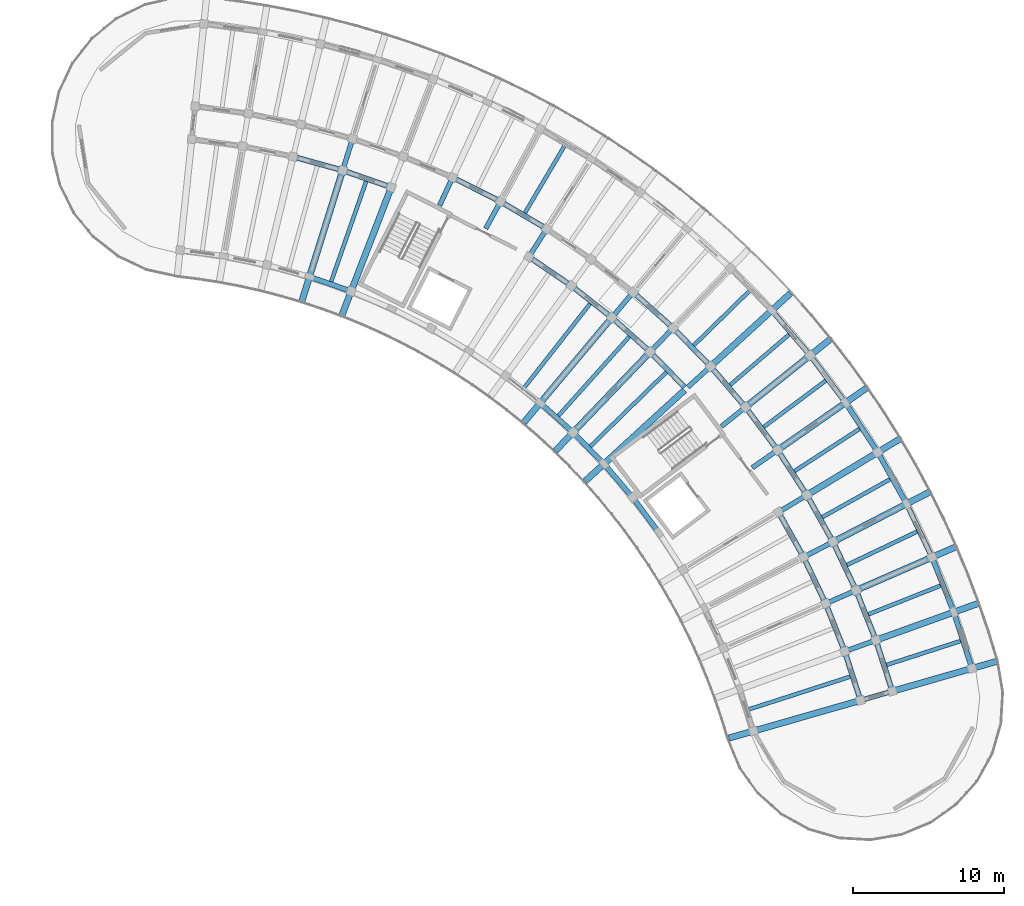
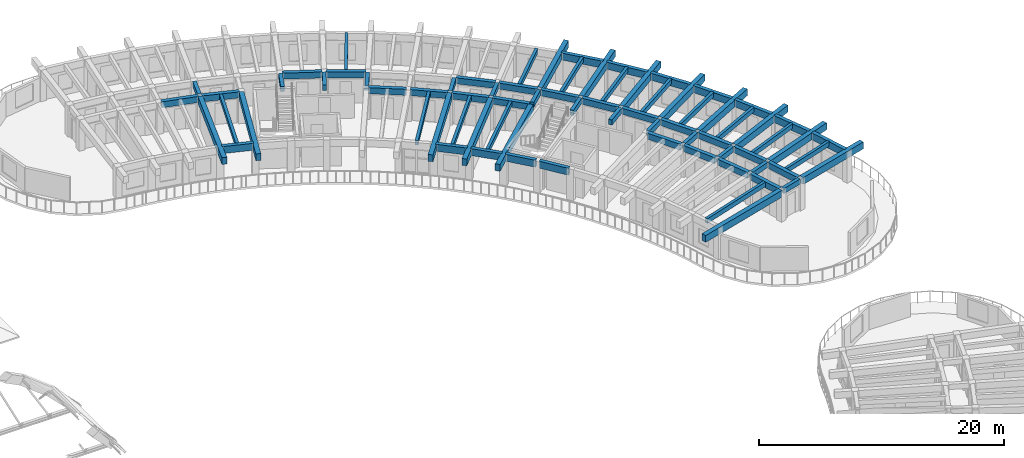
# One storey, part 21 of 81: 75 beams.
"""IFC4 building model written with IfcOpenShell, lengths in metres."""

from ifc_helpers import new_model, si_unit, direction, frame, origin, origin_2d, place, context, subcontext, project, spatial, rectangle, extrude, material, material_profile, profile_set, type_object, element, save


model = new_model("IFC4")

# Units and contexts
model_context = context("Model", 3, precision=1e-05, world=origin(), true_north=direction((0.0, 1.0)))
body_context = subcontext(model_context, "Body", "Model", "MODEL_VIEW")
ifc_project = project(units=[si_unit("LENGTHUNIT", "METRE"), si_unit("AREAUNIT", "SQUARE_METRE"), si_unit("VOLUMEUNIT", "CUBIC_METRE"), si_unit("PLANEANGLEUNIT", "RADIAN"), si_unit("MASSUNIT", "GRAM", prefix="KILO")], contexts=[model_context])

# Site, building, storey
site_placement = place(None, origin())
site = spatial("IfcSite", under=ifc_project, at=site_placement, CompositionType="ELEMENT")
building_placement = place(site_placement, origin())
building = spatial("IfcBuilding", under=site, at=building_placement, Name="Tanwirah Colonnade Gardens", CompositionType="ELEMENT")
storey_placement = place(building_placement, frame((0.0, 0.0, 8.840087890625)))
storey = spatial("IfcBuildingStorey", under=building, at=storey_placement, Name="L02", CompositionType="ELEMENT", Elevation=8.840087890625)

# Beams
ifc_material_1 = material(Name="Precast concrete C40/50", Category="concrete")
ifc_material_profile_1 = material_profile(ifc_material_1, rectangle(XDim=0.320068359375, YDim=0.52001953125, at=origin_2d()), Name="PC-BM 320x520")
ifc_profile_set_1 = profile_set([ifc_material_profile_1], Name="Precast concrete C40/50")
beam_type_1 = type_object("IfcBeamType", Name="BM-PC320", PredefinedType="BEAM", material=ifc_profile_set_1)
for number, where, z_axis, x_axis, name in (
    (1, (170.985595703125, 74.533203125, 2.844970703125), (0.961266538157, 0.275620468433, 0.0), (-0.275620468433, 0.961266538157, 0.0), "Block B L02 Corridor Tie Beam 0"),
    (2, (169.9326171875, 77.79541015625, 2.844970703125), (0.941021664552, 0.338346311999, 0.0), (-0.338346311999, 0.941021664552, 0.0), "Block B L02 Corridor Tie Beam 1"),
    (3, (168.6669921875, 80.981201171875, 2.844970703125), (0.916681481826, 0.399618644306, 0.0), (-0.399618644306, 0.916681481826, 0.0), "Block B L02 Corridor Tie Beam 2"),
):
    element("IfcBeam", number, at=place(storey_placement, frame(where, z_axis=z_axis, x_axis=x_axis)), inside=storey, type_object=beam_type_1, Name=name, PredefinedType="BEAM", context=body_context, shape_type="SweptSolid", body=[
        extrude(rectangle(XDim=0.320068359375, YDim=0.52001953125, at=origin_2d()), origin(), (0.0, 0.0, 1.0), 1.89990234375),
    ])
beam_1_placement = place(storey_placement, frame((167.194091796875, 84.07666015625, 2.844970703125), z_axis=(0.888385730697, 0.459097803844, 0.0), x_axis=(-0.459097803844, 0.888385730697, 0.0)))
element("IfcBeam", 4, at=beam_1_placement, inside=storey, type_object=beam_type_1, Name="Block B L02 Corridor Tie Beam 3", PredefinedType="BEAM", context=body_context, shape_type="SweptSolid", body=[
    extrude(rectangle(XDim=0.320068359375, YDim=0.52001953125, at=origin_2d()), origin(), (0.0, 0.0, 1.0), 1.900146484375),
])
for number, where, z_axis, x_axis, name in (
    (5, (165.520751953125, 87.068359375, 2.844970703125), (0.856174920318, 0.516686080534, 0.0), (-0.516686080534, 0.856174920318, 0.0), "Block B L02 Corridor Tie Beam 4"),
    (6, (163.653564453125, 89.943359375, 2.844970703125), (0.820305001782, 0.571926309983, 0.0), (-0.571926309983, 0.820305001782, 0.0), "Block B L02 Corridor Tie Beam 5"),
    (7, (161.601318359375, 92.68896484375, 2.844970703125), (0.78073089418, 0.624867402633, 0.0), (-0.624867402633, 0.78073089418, 0.0), "Block B L02 Corridor Tie Beam 6"),
    (8, (159.37255859375, 95.29345703125, 2.844970703125), (0.737948361517, 0.674857181732, 0.0), (-0.674857181732, 0.737948361517, 0.0), "Block B L02 Corridor Tie Beam 7"),
):
    element("IfcBeam", number, at=place(storey_placement, frame(where, z_axis=z_axis, x_axis=x_axis)), inside=storey, type_object=beam_type_1, Name=name, PredefinedType="BEAM", context=body_context, shape_type="SweptSolid", body=[
        extrude(rectangle(XDim=0.320068359375, YDim=0.52001953125, at=origin_2d()), origin(), (0.0, 0.0, 1.0), 1.89990234375),
    ])
beam_2_placement = place(storey_placement, frame((156.976806640625, 97.74560546875, 2.844970703125), z_axis=(0.691913735329, 0.721980181766, 0.0), x_axis=(-0.721980181766, 0.691913735329, 0.0)))
element("IfcBeam", 9, at=beam_2_placement, inside=storey, type_object=beam_type_1, Name="Block B L02 Corridor Tie Beam 8", PredefinedType="BEAM", context=body_context, shape_type="SweptSolid", body=[
    extrude(rectangle(XDim=0.320068359375, YDim=0.52001953125, at=origin_2d()), origin(), (0.0, 0.0, 1.0), 1.900146484375),
])
for number, where, z_axis, x_axis, name in (
    (10, (154.425048828125, 100.034423828125, 2.844970703125), (0.642797194343, 0.766036400535, 0.0), (-0.766036400535, 0.642797194343, 0.0), "Block B L02 Corridor Tie Beam 9"),
    (11, (148.89697265625, 104.08349609375, 2.844970703125), (0.536509579595, 0.843894229749, 0.0), (-0.843894229749, 0.536509579595, 0.0), "Block B L02 Corridor Tie Beam 11"),
    (12, (145.945068359375, 105.826171875, 2.844970703125), (0.479707235792, 0.877428611301, 0.0), (-0.877428611301, 0.479707235792, 0.0), "Block B L02 Corridor Tie Beam 12"),
    (13, (142.884765625, 107.37060546875, 2.844970703125), (0.420858322681, 0.90712638162, 0.0), (-0.90712638162, 0.420858322681, 0.0), "Block B L02 Corridor Tie Beam 13"),
    (14, (136.492431640625, 109.838623046875, 2.844970703125), (0.297857918398, 0.954610213882, 0.0), (-0.954610213882, 0.297857918398, 0.0), "Block B L02 Corridor Tie Beam 15"),
):
    element("IfcBeam", number, at=place(storey_placement, frame(where, z_axis=z_axis, x_axis=x_axis)), inside=storey, type_object=beam_type_1, Name=name, PredefinedType="BEAM", context=body_context, shape_type="SweptSolid", body=[
        extrude(rectangle(XDim=0.320068359375, YDim=0.52001953125, at=origin_2d()), origin(), (0.0, 0.0, 1.0), 1.89990234375),
    ])
ifc_material_profile_2 = material_profile(ifc_material_1, rectangle(XDim=0.35009765625, YDim=0.60009765625, at=origin_2d()), Name="PC-BM 350x600")
ifc_profile_set_2 = profile_set([ifc_material_profile_2], Name="Precast concrete C40/50")
beam_type_2 = type_object("IfcBeamType", Name="BM-PC350B", PredefinedType="BEAM", material=ifc_profile_set_2)
beam_3_placement = place(storey_placement, frame((170.79541015625, 74.634521484375, 2.804931640625), z_axis=(-0.307169780148, 0.951654730542, 0.0), x_axis=(-0.951654730542, -0.307169780148, 0.0)))
element("IfcBeam", 15, at=beam_3_placement, inside=storey, type_object=beam_type_2, Name="Block B L02 Circumferential Beam 0-R1", PredefinedType="BEAM", context=body_context, shape_type="SweptSolid", body=[
    extrude(rectangle(XDim=0.35009765625, YDim=0.60009765625, at=origin_2d()), origin(), (0.0, 0.0, 1.0), 3.117919921875),
])
beam_4_placement = place(storey_placement, frame((172.91015625, 75.240966796875, 2.804931640625), z_axis=(-0.307212636327, 0.9516408966, 0.0), x_axis=(-0.9516408966, -0.307212636327, 0.0)))
element("IfcBeam", 16, at=beam_4_placement, inside=storey, type_object=beam_type_2, Name="Block B L02 Circumferential Beam 0-R2", PredefinedType="BEAM", context=body_context, shape_type="SweptSolid", body=[
    extrude(rectangle(XDim=0.35009765625, YDim=0.60009765625, at=origin_2d()), origin(), (0.0, 0.0, 1.0), 3.262939453125),
])
beam_5_placement = place(storey_placement, frame((169.736083984375, 77.884033203125, 2.804931640625), z_axis=(-0.369189105832, 0.929354294193, 0.0), x_axis=(-0.929354294193, -0.369189105832, 0.0)))
element("IfcBeam", 17, at=beam_5_placement, inside=storey, type_object=beam_type_2, Name="Block B L02 Circumferential Beam 1-R1", PredefinedType="BEAM", context=body_context, shape_type="SweptSolid", body=[
    extrude(rectangle(XDim=0.35009765625, YDim=0.60009765625, at=origin_2d()), origin(), (0.0, 0.0, 1.0), 3.117919921875),
])
beam_6_placement = place(storey_placement, frame((171.806396484375, 78.62841796875, 2.804931640625), z_axis=(-0.369209712056, 0.929346108037, 0.0), x_axis=(-0.929346108037, -0.369209712056, 0.0)))
element("IfcBeam", 18, at=beam_6_placement, inside=storey, type_object=beam_type_2, Name="Block B L02 Circumferential Beam 1-R2", PredefinedType="BEAM", context=body_context, shape_type="SweptSolid", body=[
    extrude(rectangle(XDim=0.35009765625, YDim=0.60009765625, at=origin_2d()), origin(), (0.0, 0.0, 1.0), 3.26318359375),
])
beam_7_placement = place(storey_placement, frame((168.465087890625, 81.056640625, 2.804931640625), z_axis=(-0.429620507728, 0.903009534468, 0.0), x_axis=(-0.903009534468, -0.429620507728, 0.0)))
element("IfcBeam", 19, at=beam_7_placement, inside=storey, type_object=beam_type_2, Name="Block B L02 Circumferential Beam 2-R1", PredefinedType="BEAM", context=body_context, shape_type="SweptSolid", body=[
    extrude(rectangle(XDim=0.35009765625, YDim=0.60009765625, at=origin_2d()), origin(), (0.0, 0.0, 1.0), 3.1181640625),
])
beam_8_placement = place(storey_placement, frame((170.481689453125, 81.935791015625, 2.804931640625), z_axis=(-0.4295908638, 0.90302363742, 0.0), x_axis=(-0.90302363742, -0.4295908638, 0.0)))
element("IfcBeam", 20, at=beam_8_placement, inside=storey, type_object=beam_type_2, Name="Block B L02 Circumferential Beam 2-R2", PredefinedType="BEAM", context=body_context, shape_type="SweptSolid", body=[
    extrude(rectangle(XDim=0.35009765625, YDim=0.60009765625, at=origin_2d()), origin(), (0.0, 0.0, 1.0), 3.26318359375),
])
beam_9_placement = place(storey_placement, frame((166.98779296875, 84.138671875, 2.804931640625), z_axis=(-0.488200372352, 0.872731571811, 0.0), x_axis=(-0.872731571811, -0.488200372352, 0.0)))
element("IfcBeam", 21, at=beam_9_placement, inside=storey, type_object=beam_type_2, Name="Block B L02 Circumferential Beam 3-R1", PredefinedType="BEAM", context=body_context, shape_type="SweptSolid", body=[
    extrude(rectangle(XDim=0.35009765625, YDim=0.60009765625, at=origin_2d()), origin(), (0.0, 0.0, 1.0), 3.117919921875),
])
for number, where, z_axis, x_axis, name in (
    (22, (168.942138671875, 85.14892578125, 2.804931640625), (-0.488213717102, 0.87272410671, 0.0), (-0.87272410671, -0.488213717102, 0.0), "Block B L02 Circumferential Beam 3-R2"),
    (23, (167.194091796875, 88.25341796875, 2.804931640625), (-0.544627998385, 0.838677735114, 0.0), (-0.838677735114, -0.544627998385, 0.0), "Block B L02 Circumferential Beam 4-R2"),
    (24, (165.245361328125, 91.236083984375, 2.804931640625), (-0.59871829396, 0.800959677186, 0.0), (-0.800959677186, -0.59871829396, 0.0), "Block B L02 Circumferential Beam 5-R2"),
):
    element("IfcBeam", number, at=place(storey_placement, frame(where, z_axis=z_axis, x_axis=x_axis)), inside=storey, type_object=beam_type_2, Name=name, PredefinedType="BEAM", context=body_context, shape_type="SweptSolid", body=[
        extrude(rectangle(XDim=0.35009765625, YDim=0.60009765625, at=origin_2d()), origin(), (0.0, 0.0, 1.0), 3.262939453125),
    ])
beam_10_placement = place(storey_placement, frame((163.1044921875, 94.083740234375, 2.804931640625), z_axis=(-0.650218192342, 0.759747525398, 0.0), x_axis=(-0.759747525398, -0.650218192342, 0.0)))
element("IfcBeam", 25, at=beam_10_placement, inside=storey, type_object=beam_type_2, Name="Block B L02 Circumferential Beam 6-R2", PredefinedType="BEAM", context=body_context, shape_type="SweptSolid", body=[
    extrude(rectangle(XDim=0.35009765625, YDim=0.60009765625, at=origin_2d()), origin(), (0.0, 0.0, 1.0), 3.26318359375),
])
beam_11_placement = place(storey_placement, frame((159.156982421875, 95.299560546875, 2.804931640625), z_axis=(-0.698837366631, 0.715280598787, 0.0), x_axis=(-0.715280598787, -0.698837366631, 0.0)))
element("IfcBeam", 26, at=beam_11_placement, inside=storey, type_object=beam_type_2, Name="Block B L02 Circumferential Beam 7-R1", PredefinedType="BEAM", context=body_context, shape_type="SweptSolid", body=[
    extrude(rectangle(XDim=0.35009765625, YDim=0.60009765625, at=origin_2d()), origin(), (0.0, 0.0, 1.0), 3.117919921875),
])
beam_12_placement = place(storey_placement, frame((160.780517578125, 96.7841796875, 2.804931640625), z_axis=(-0.698829447339, 0.71528833594, 0.0), x_axis=(-0.71528833594, -0.698829447339, 0.0)))
element("IfcBeam", 27, at=beam_12_placement, inside=storey, type_object=beam_type_2, Name="Block B L02 Circumferential Beam 7-R2", PredefinedType="BEAM", context=body_context, shape_type="SweptSolid", body=[
    extrude(rectangle(XDim=0.35009765625, YDim=0.60009765625, at=origin_2d()), origin(), (0.0, 0.0, 1.0), 3.263427734375),
])
beam_13_placement = place(storey_placement, frame((156.761474609375, 97.7373046875, 2.804931640625), z_axis=(-0.744429866059, 0.667700662363, 0.0), x_axis=(-0.667700662363, -0.744429866059, 0.0)))
element("IfcBeam", 28, at=beam_13_placement, inside=storey, type_object=beam_type_2, Name="Block B L02 Circumferential Beam 8-R1", PredefinedType="BEAM", context=body_context, shape_type="SweptSolid", body=[
    extrude(rectangle(XDim=0.35009765625, YDim=0.60009765625, at=origin_2d()), origin(), (0.0, 0.0, 1.0), 3.1181640625),
])
beam_14_placement = place(storey_placement, frame((158.283447265625, 99.32568359375, 2.804931640625), z_axis=(-0.744409136578, 0.667723773262, 0.0), x_axis=(-0.667723773262, -0.744409136578, 0.0)))
element("IfcBeam", 29, at=beam_14_placement, inside=storey, type_object=beam_type_2, Name="Block B L02 Circumferential Beam 8-R2", PredefinedType="BEAM", context=body_context, shape_type="SweptSolid", body=[
    extrude(rectangle(XDim=0.35009765625, YDim=0.60009765625, at=origin_2d()), origin(), (0.0, 0.0, 1.0), 3.26318359375),
])
beam_15_placement = place(storey_placement, frame((154.21044921875, 100.011962890625, 2.804931640625), z_axis=(-0.78679899272, 0.617209320292, 0.0), x_axis=(-0.617209320292, -0.78679899272, 0.0)))
element("IfcBeam", 30, at=beam_15_placement, inside=storey, type_object=beam_type_2, Name="Block B L02 Circumferential Beam 9-R1", PredefinedType="BEAM", context=body_context, shape_type="SweptSolid", body=[
    extrude(rectangle(XDim=0.35009765625, YDim=0.60009765625, at=origin_2d()), origin(), (0.0, 0.0, 1.0), 3.1181640625),
])
beam_16_placement = place(storey_placement, frame((151.515380859375, 102.113525390625, 2.804931640625), z_axis=(-0.825758291455, 0.564024152047, 0.0), x_axis=(-0.564024152047, -0.825758291455, 0.0)))
element("IfcBeam", 31, at=beam_16_placement, inside=storey, type_object=beam_type_2, Name="Block B L02 Circumferential Beam 10-R1", PredefinedType="BEAM", context=body_context, shape_type="SweptSolid", body=[
    extrude(rectangle(XDim=0.35009765625, YDim=0.60009765625, at=origin_2d()), origin(), (0.0, 0.0, 1.0), 3.118408203125),
])
for number, where, z_axis, x_axis, name in (
    (32, (149.86767578125, 105.8896484375, 2.804931640625), (-0.861134978964, 0.508376384193, 0.0), (-0.508376384193, -0.861134978964, 0.0), "Block B L02 Circumferential Beam 11-R2"),
    (33, (146.794677734375, 107.6923828125, 2.804931640625), (-0.89276014323, 0.450532270387, 0.0), (-0.450532270387, -0.89276014323, 0.0), "Block B L02 Circumferential Beam 12-R2"),
):
    element("IfcBeam", number, at=place(storey_placement, frame(where, z_axis=z_axis, x_axis=x_axis)), inside=storey, type_object=beam_type_2, Name=name, PredefinedType="BEAM", context=body_context, shape_type="SweptSolid", body=[
        extrude(rectangle(XDim=0.35009765625, YDim=0.60009765625, at=origin_2d()), origin(), (0.0, 0.0, 1.0), 3.26318359375),
    ])
beam_17_placement = place(storey_placement, frame((139.53369140625, 108.619384765625, 2.804931640625), z_axis=(-0.944248304077, 0.329234172358, 0.0), x_axis=(-0.329234172358, -0.944248304077, 0.0)))
element("IfcBeam", 34, at=beam_17_placement, inside=storey, type_object=beam_type_2, Name="Block B L02 Circumferential Beam 14-R1", PredefinedType="BEAM", context=body_context, shape_type="SweptSolid", body=[
    extrude(rectangle(XDim=0.35009765625, YDim=0.60009765625, at=origin_2d()), origin(), (0.0, 0.0, 1.0), 3.1181640625),
])
beam_18_placement = place(storey_placement, frame((136.302978515625, 109.7353515625, 2.804931640625), z_axis=(-0.963889412906, 0.266302834548, 0.0), x_axis=(-0.266302834548, -0.963889412906, 0.0)))
element("IfcBeam", 35, at=beam_18_placement, inside=storey, type_object=beam_type_2, Name="Block B L02 Circumferential Beam 15-R1", PredefinedType="BEAM", context=body_context, shape_type="SweptSolid", body=[
    extrude(rectangle(XDim=0.35009765625, YDim=0.60009765625, at=origin_2d()), origin(), (0.0, 0.0, 1.0), 3.117919921875),
])
ifc_material_2 = material(Name="Precast concrete C45/55", Category="concrete")
ifc_material_profile_3 = material_profile(ifc_material_2, rectangle(XDim=0.419921875, YDim=0.679931640625, at=origin_2d()), Name="PC-BM 420x680")
ifc_profile_set_3 = profile_set([ifc_material_profile_3], Name="Precast concrete C45/55")
beam_type_3 = type_object("IfcBeamType", Name="BM-PC420", PredefinedType="BEAM", material=ifc_profile_set_3)
beam_19_placement = place(storey_placement, frame((170.697265625, 74.450439453125, 2.764892578125), z_axis=(-0.961258954076, -0.275646917646, 0.0), x_axis=(0.275646917646, -0.961258954076, 0.0)))
element("IfcBeam", 36, at=beam_19_placement, inside=storey, type_object=beam_type_3, Name="Block B L02 Inner Radial Precast Girder 0", PredefinedType="BEAM", context=body_context, shape_type="SweptSolid", body=[
    extrude(rectangle(XDim=0.419921875, YDim=0.679931640625, at=origin_2d()), origin(), (0.0, 0.0, 1.0), 8.949951171875),
])
for number, where, z_axis, x_axis, name in (
    (37, (173.100341796875, 75.1396484375, 2.764892578125), (0.961266085595, 0.275622046806, 0.0), (-0.275622046806, 0.961266085595, 0.0), "Block B L02 Outer Radial Precast Girder 0"),
    (38, (172.0029296875, 78.539794921875, 2.764892578125), (0.941011841171, 0.338373631917, 0.0), (-0.338373631917, 0.941011841171, 0.0), "Block B L02 Outer Radial Precast Girder 1"),
):
    element("IfcBeam", number, at=place(storey_placement, frame(where, z_axis=z_axis, x_axis=x_axis)), inside=storey, type_object=beam_type_3, Name=name, PredefinedType="BEAM", context=body_context, shape_type="SweptSolid", body=[
        extrude(rectangle(XDim=0.419921875, YDim=0.679931640625, at=origin_2d()), origin(), (0.0, 0.0, 1.0), 7.0498046875),
    ])
beam_20_placement = place(storey_placement, frame((170.68359375, 81.8603515625, 2.764892578125), z_axis=(0.916678725612, 0.399624966702, 0.0), x_axis=(-0.399624966702, 0.916678725612, 0.0)))
element("IfcBeam", 39, at=beam_20_placement, inside=storey, type_object=beam_type_3, Name="Block B L02 Outer Radial Precast Girder 2", PredefinedType="BEAM", context=body_context, shape_type="SweptSolid", body=[
    extrude(rectangle(XDim=0.419921875, YDim=0.679931640625, at=origin_2d()), origin(), (0.0, 0.0, 1.0), 7.050048828125),
])
beam_21_placement = place(storey_placement, frame((169.148681640625, 85.0869140625, 2.764892578125), z_axis=(0.888348690665, 0.459169471758, 0.0), x_axis=(-0.459169471758, 0.888348690665, 0.0)))
element("IfcBeam", 40, at=beam_21_placement, inside=storey, type_object=beam_type_3, Name="Block B L02 Outer Radial Precast Girder 3", PredefinedType="BEAM", context=body_context, shape_type="SweptSolid", body=[
    extrude(rectangle(XDim=0.419921875, YDim=0.679931640625, at=origin_2d()), origin(), (0.0, 0.0, 1.0), 7.0498046875),
])
for number, where, z_axis, x_axis, name in (
    (41, (167.404296875, 88.205078125, 2.764892578125), (0.856157813984, 0.516714425533, 0.0), (-0.516714425533, 0.856157813984, 0.0), "Block B L02 Outer Radial Precast Girder 4"),
    (42, (165.458251953125, 91.20166015625, 2.764892578125), (0.820270158139, 0.571976282433, 0.0), (-0.571976282433, 0.820270158139, 0.0), "Block B L02 Outer Radial Precast Girder 5"),
    (43, (163.319091796875, 94.0634765625, 2.764892578125), (0.780794476885, 0.624787951921, 0.0), (-0.624787951921, 0.780794476885, 0.0), "Block B L02 Outer Radial Precast Girder 6"),
):
    element("IfcBeam", number, at=place(storey_placement, frame(where, z_axis=z_axis, x_axis=x_axis)), inside=storey, type_object=beam_type_3, Name=name, PredefinedType="BEAM", context=body_context, shape_type="SweptSolid", body=[
        extrude(rectangle(XDim=0.419921875, YDim=0.679931640625, at=origin_2d()), origin(), (0.0, 0.0, 1.0), 7.050048828125),
    ])
beam_22_placement = place(storey_placement, frame((159.151123046875, 95.091064453125, 2.764892578125), z_axis=(-0.737937205818, -0.674869380154, 0.0), x_axis=(0.674869380154, -0.737937205818, 0.0)))
element("IfcBeam", 44, at=beam_22_placement, inside=storey, type_object=beam_type_3, Name="Block B L02 Inner Radial Precast Girder 7", PredefinedType="BEAM", context=body_context, shape_type="SweptSolid", body=[
    extrude(rectangle(XDim=0.419921875, YDim=0.679931640625, at=origin_2d()), origin(), (0.0, 0.0, 1.0), 8.949951171875),
])
beam_23_placement = place(storey_placement, frame((160.995849609375, 96.7783203125, 2.764892578125), z_axis=(0.737934199263, 0.674872667663, 0.0), x_axis=(-0.674872667663, 0.737934199263, 0.0)))
element("IfcBeam", 45, at=beam_23_placement, inside=storey, type_object=beam_type_3, Name="Block B L02 Outer Radial Precast Girder 7", PredefinedType="BEAM", context=body_context, shape_type="SweptSolid", body=[
    extrude(rectangle(XDim=0.419921875, YDim=0.679931640625, at=origin_2d()), origin(), (0.0, 0.0, 1.0), 7.050048828125),
])
for number, where, z_axis, x_axis, name in (
    (46, (156.769287109375, 97.52880859375, 2.764892578125), (-0.691860926595, -0.722030787606, 0.0), (0.722030787606, -0.691860926595, 0.0), "Block B L02 Inner Radial Precast Girder 8"),
    (47, (154.232177734375, 99.804443359375, 2.764892578125), (-0.64279407932, -0.766039014406, 0.0), (0.766039014406, -0.64279407932, 0.0), "Block B L02 Inner Radial Precast Girder 9"),
    (48, (139.62109375, 108.43017578125, 2.764892578125), (-0.360155980892, -0.932892099563, 0.0), (0.932892099563, -0.360155980892, 0.0), "Block B L02 Inner Radial Precast Girder 14"),
):
    element("IfcBeam", number, at=place(storey_placement, frame(where, z_axis=z_axis, x_axis=x_axis)), inside=storey, type_object=beam_type_3, Name=name, PredefinedType="BEAM", context=body_context, shape_type="SweptSolid", body=[
        extrude(rectangle(XDim=0.419921875, YDim=0.679931640625, at=origin_2d()), origin(), (0.0, 0.0, 1.0), 8.949951171875),
    ])
beam_24_placement = place(storey_placement, frame((136.403076171875, 109.55224609375, 2.764892578125), z_axis=(-0.29792861283, -0.9545881529, 0.0), x_axis=(0.9545881529, -0.29792861283, 0.0)))
element("IfcBeam", 49, at=beam_24_placement, inside=storey, type_object=beam_type_3, Name="Block B L02 Inner Radial Precast Girder 15", PredefinedType="BEAM", context=body_context, shape_type="SweptSolid", body=[
    extrude(rectangle(XDim=0.419921875, YDim=0.679931640625, at=origin_2d()), origin(), (0.0, 0.0, 1.0), 8.9501953125),
])
ifc_material_profile_4 = material_profile(ifc_material_1, rectangle(XDim=0.260009765625, YDim=0.4599609375, at=origin_2d()), Name="PC-JST 260x460")
ifc_profile_set_4 = profile_set([ifc_material_profile_4], Name="Precast concrete C40/50")
beam_type_4 = type_object("IfcBeamType", Name="JST-PC260", PredefinedType="JOIST", material=ifc_profile_set_4)
beam_25_placement = place(storey_placement, frame((172.551025390625, 76.839599609375, 2.875), z_axis=(0.951656985441, 0.307162794072, 0.0), x_axis=(-0.307162794072, 0.951656985441, 0.0)))
element("IfcBeam", 50, at=beam_25_placement, inside=storey, type_object=beam_type_4, Name="Block B L02 Precast Floor Joist 0", PredefinedType="JOIST", context=body_context, shape_type="SweptSolid", body=[
    extrude(rectangle(XDim=0.260009765625, YDim=0.4599609375, at=origin_2d()), origin(), (0.0, 0.0, 1.0), 5.26025390625),
])
beam_26_placement = place(storey_placement, frame((163.415283203125, 73.890625, 2.875), z_axis=(0.951647858625, 0.307191069489, 0.0), x_axis=(-0.307191069489, 0.951647858625, 0.0)))
element("IfcBeam", 51, at=beam_26_placement, inside=storey, type_object=beam_type_4, Name="Block B L02 Inner Precast Floor Joist 0", PredefinedType="JOIST", context=body_context, shape_type="SweptSolid", body=[
    extrude(rectangle(XDim=0.260009765625, YDim=0.4599609375, at=origin_2d()), origin(), (0.0, 0.0, 1.0), 7.159912109375),
])
beam_27_placement = place(storey_placement, frame((171.3427734375, 80.199951171875, 2.875), z_axis=(0.929357539836, 0.369180935517, 0.0), x_axis=(-0.369180935517, 0.929357539836, 0.0)))
element("IfcBeam", 52, at=beam_27_placement, inside=storey, type_object=beam_type_4, Name="Block B L02 Precast Floor Joist 1", PredefinedType="JOIST", context=body_context, shape_type="SweptSolid", body=[
    extrude(rectangle(XDim=0.260009765625, YDim=0.4599609375, at=origin_2d()), origin(), (0.0, 0.0, 1.0), 5.260009765625),
])
beam_28_placement = place(storey_placement, frame((169.91552734375, 83.473388671875, 2.875), z_axis=(0.903018314862, 0.429602051931, 0.0), x_axis=(-0.429602051931, 0.903018314862, 0.0)))
element("IfcBeam", 53, at=beam_28_placement, inside=storey, type_object=beam_type_4, Name="Block B L02 Precast Floor Joist 2", PredefinedType="JOIST", context=body_context, shape_type="SweptSolid", body=[
    extrude(rectangle(XDim=0.260009765625, YDim=0.4599609375, at=origin_2d()), origin(), (0.0, 0.0, 1.0), 5.26025390625),
])
beam_29_placement = place(storey_placement, frame((168.27587890625, 86.645751953125, 2.875), z_axis=(0.872737031138, 0.488190612855, 0.0), x_axis=(-0.488190612855, 0.872737031138, 0.0)))
element("IfcBeam", 54, at=beam_29_placement, inside=storey, type_object=beam_type_4, Name="Block B L02 Precast Floor Joist 3", PredefinedType="JOIST", context=body_context, shape_type="SweptSolid", body=[
    extrude(rectangle(XDim=0.260009765625, YDim=0.4599609375, at=origin_2d()), origin(), (0.0, 0.0, 1.0), 5.260009765625),
])
beam_30_placement = place(storey_placement, frame((166.4306640625, 89.703125, 2.875), z_axis=(0.83868742622, 0.544613074669, 0.0), x_axis=(-0.544613074669, 0.83868742622, 0.0)))
element("IfcBeam", 55, at=beam_30_placement, inside=storey, type_object=beam_type_4, Name="Block B L02 Precast Floor Joist 4", PredefinedType="JOIST", context=body_context, shape_type="SweptSolid", body=[
    extrude(rectangle(XDim=0.260009765625, YDim=0.4599609375, at=origin_2d()), origin(), (0.0, 0.0, 1.0), 5.26025390625),
])
beam_31_placement = place(storey_placement, frame((164.38818359375, 92.63232421875, 2.875), z_axis=(0.800973647215, 0.598699604533, 0.0), x_axis=(-0.598699604533, 0.800973647215, 0.0)))
element("IfcBeam", 56, at=beam_31_placement, inside=storey, type_object=beam_type_4, Name="Block B L02 Precast Floor Joist 5", PredefinedType="JOIST", context=body_context, shape_type="SweptSolid", body=[
    extrude(rectangle(XDim=0.260009765625, YDim=0.4599609375, at=origin_2d()), origin(), (0.0, 0.0, 1.0), 5.260009765625),
])
beam_32_placement = place(storey_placement, frame((162.156982421875, 95.42041015625, 2.875), z_axis=(0.759770723643, 0.65019108537, 0.0), x_axis=(-0.65019108537, 0.759770723643, 0.0)))
element("IfcBeam", 57, at=beam_32_placement, inside=storey, type_object=beam_type_4, Name="Block B L02 Precast Floor Joist 6", PredefinedType="JOIST", context=body_context, shape_type="SweptSolid", body=[
    extrude(rectangle(XDim=0.260009765625, YDim=0.4599609375, at=origin_2d()), origin(), (0.0, 0.0, 1.0), 5.26025390625),
])
beam_33_placement = place(storey_placement, frame((159.7470703125, 98.0556640625, 2.875), z_axis=(0.715297399369, 0.698820170327, 0.0), x_axis=(-0.698820170327, 0.715297399369, 0.0)))
element("IfcBeam", 58, at=beam_33_placement, inside=storey, type_object=beam_type_4, Name="Block B L02 Precast Floor Joist 7", PredefinedType="JOIST", context=body_context, shape_type="SweptSolid", body=[
    extrude(rectangle(XDim=0.260009765625, YDim=0.4599609375, at=origin_2d()), origin(), (0.0, 0.0, 1.0), 5.260009765625),
])
beam_34_placement = place(storey_placement, frame((152.88037109375, 91.346923828125, 2.875), z_axis=(0.715276680509, 0.698841377081, 0.0), x_axis=(-0.698841377081, 0.715276680509, 0.0)))
element("IfcBeam", 59, at=beam_34_placement, inside=storey, type_object=beam_type_4, Name="Block B L02 Inner Precast Floor Joist 7", PredefinedType="JOIST", context=body_context, shape_type="SweptSolid", body=[
    extrude(rectangle(XDim=0.260009765625, YDim=0.4599609375, at=origin_2d()), origin(), (0.0, 0.0, 1.0), 7.159912109375),
])
beam_35_placement = place(storey_placement, frame((150.7587890625, 93.379638671875, 2.875), z_axis=(0.667688404274, 0.744440860511, 0.0), x_axis=(-0.744440860511, 0.667688404274, 0.0)))
element("IfcBeam", 60, at=beam_35_placement, inside=storey, type_object=beam_type_4, Name="Block B L02 Inner Precast Floor Joist 8", PredefinedType="JOIST", context=body_context, shape_type="SweptSolid", body=[
    extrude(rectangle(XDim=0.260009765625, YDim=0.4599609375, at=origin_2d()), origin(), (0.0, 0.0, 1.0), 7.16015625),
])
beam_36_placement = place(storey_placement, frame((148.508056640625, 95.268310546875, 2.875), z_axis=(0.617202438917, 0.786804390808, 0.0), x_axis=(-0.786804390808, 0.617202438917, 0.0)))
element("IfcBeam", 61, at=beam_36_placement, inside=storey, type_object=beam_type_4, Name="Block B L02 Inner Precast Floor Joist 9", PredefinedType="JOIST", context=body_context, shape_type="SweptSolid", body=[
    extrude(rectangle(XDim=0.260009765625, YDim=0.4599609375, at=origin_2d()), origin(), (0.0, 0.0, 1.0), 7.159912109375),
])
beam_37_placement = place(storey_placement, frame((148.53857421875, 106.84765625, 2.875), z_axis=(0.508360236823, 0.86114451146, 0.0), x_axis=(-0.86114451146, 0.508360236823, 0.0)))
element("IfcBeam", 62, at=beam_37_placement, inside=storey, type_object=beam_type_4, Name="Block B L02 Precast Floor Joist 11", PredefinedType="JOIST", context=body_context, shape_type="SweptSolid", body=[
    extrude(rectangle(XDim=0.260009765625, YDim=0.4599609375, at=origin_2d()), origin(), (0.0, 0.0, 1.0), 5.26025390625),
])
beam_38_placement = place(storey_placement, frame((135.673828125, 102.28515625, 2.875), z_axis=(0.329250558112, 0.944242590642, 0.0), x_axis=(-0.944242590642, 0.329250558112, 0.0)))
element("IfcBeam", 63, at=beam_38_placement, inside=storey, type_object=beam_type_4, Name="Block B L02 Inner Precast Floor Joist 14", PredefinedType="JOIST", context=body_context, shape_type="SweptSolid", body=[
    extrude(rectangle(XDim=0.260009765625, YDim=0.4599609375, at=origin_2d()), origin(), (0.0, 0.0, 1.0), 7.159912109375),
])
ifc_material_profile_5 = material_profile(ifc_material_1, rectangle(XDim=0.3349609375, YDim=0.695068359375, at=origin_2d()), Name="PC-SP 335x695")
ifc_profile_set_5 = profile_set([ifc_material_profile_5], Name="Precast concrete C40/50")
beam_type_5 = type_object("IfcBeamType", Name="SP-PC300", PredefinedType="SPANDREL", material=ifc_profile_set_5)
for number, where, z_axis, x_axis, name in (
    (64, (178.197021484375, 76.7568359375, 2.75732421875), (-0.307183773768, 0.951650213647, 0.0), (-0.951650213647, -0.307183773768, 0.0), "Block B L02 Circumferential Beam 0-R3"),
    (65, (176.98193359375, 80.489501953125, 2.75732421875), (-0.369195460985, 0.929351769562, 0.0), (-0.929351769562, -0.369195460985, 0.0), "Block B L02 Circumferential Beam 1-R3"),
    (66, (175.5234375, 84.1337890625, 2.75732421875), (-0.429593766142, 0.903022256698, 0.0), (-0.903022256698, -0.429593766142, 0.0), "Block B L02 Circumferential Beam 2-R3"),
    (67, (173.828125, 87.67431640625, 2.75732421875), (-0.488236312193, 0.872711466326, 0.0), (-0.872711466326, -0.488236312193, 0.0), "Block B L02 Circumferential Beam 3-R3"),
    (68, (171.903076171875, 91.09521484375, 2.75732421875), (-0.544621436184, 0.838681996497, 0.0), (-0.838681996497, -0.544621436184, 0.0), "Block B L02 Circumferential Beam 4-R3"),
):
    element("IfcBeam", number, at=place(storey_placement, frame(where, z_axis=z_axis, x_axis=x_axis)), inside=storey, type_object=beam_type_5, Name=name, PredefinedType="SPANDREL", context=body_context, shape_type="SweptSolid", body=[
        extrude(rectangle(XDim=0.3349609375, YDim=0.695068359375, at=origin_2d()), origin(), (0.0, 0.0, 1.0), 3.625732421875),
    ])
beam_39_placement = place(storey_placement, frame((157.370849609375, 85.744873046875, 2.75732421875), z_axis=(-0.598662613551, 0.80100129534, 0.0), x_axis=(-0.80100129534, -0.598662613551, 0.0)))
element("IfcBeam", 69, at=beam_39_placement, inside=storey, type_object=beam_type_5, Name="Block B L02 Circumferential Beam 5-R0", PredefinedType="SPANDREL", context=body_context, shape_type="SweptSolid", body=[
    extrude(rectangle(XDim=0.3349609375, YDim=0.695068359375, at=origin_2d()), origin(), (0.0, 0.0, 1.0), 2.63037109375),
])
beam_40_placement = place(storey_placement, frame((169.7568359375, 94.382080078125, 2.75732421875), z_axis=(-0.598695554058, 0.800976674786, 0.0), x_axis=(-0.800976674786, -0.598695554058, 0.0)))
element("IfcBeam", 70, at=beam_40_placement, inside=storey, type_object=beam_type_5, Name="Block B L02 Circumferential Beam 5-R3", PredefinedType="SPANDREL", context=body_context, shape_type="SweptSolid", body=[
    extrude(rectangle(XDim=0.3349609375, YDim=0.695068359375, at=origin_2d()), origin(), (0.0, 0.0, 1.0), 3.625732421875),
])
beam_41_placement = place(storey_placement, frame((155.60888671875, 88.0859375, 2.75732421875), z_axis=(-0.650217875778, 0.759747796323, 0.0), x_axis=(-0.759747796323, -0.650217875778, 0.0)))
element("IfcBeam", 71, at=beam_41_placement, inside=storey, type_object=beam_type_5, Name="Block B L02 Circumferential Beam 6-R0", PredefinedType="SPANDREL", context=body_context, shape_type="SweptSolid", body=[
    extrude(rectangle(XDim=0.3349609375, YDim=0.695068359375, at=origin_2d()), origin(), (0.0, 0.0, 1.0), 2.630126953125),
])
beam_42_placement = place(storey_placement, frame((167.398681640625, 97.52001953125, 2.75732421875), z_axis=(-0.650170105297, 0.759788677317, 0.0), x_axis=(-0.759788677317, -0.650170105297, 0.0)))
element("IfcBeam", 72, at=beam_42_placement, inside=storey, type_object=beam_type_5, Name="Block B L02 Circumferential Beam 6-R3", PredefinedType="SPANDREL", context=body_context, shape_type="SweptSolid", body=[
    extrude(rectangle(XDim=0.3349609375, YDim=0.695068359375, at=origin_2d()), origin(), (0.0, 0.0, 1.0), 3.625732421875),
])
beam_43_placement = place(storey_placement, frame((153.6962890625, 90.305419921875, 2.75732421875), z_axis=(-0.698844462704, 0.715273665772, 0.0), x_axis=(-0.715273665772, -0.698844462704, 0.0)))
element("IfcBeam", 73, at=beam_43_placement, inside=storey, type_object=beam_type_5, Name="Block B L02 Circumferential Beam 7-R0", PredefinedType="SPANDREL", context=body_context, shape_type="SweptSolid", body=[
    extrude(rectangle(XDim=0.3349609375, YDim=0.695068359375, at=origin_2d()), origin(), (0.0, 0.0, 1.0), 2.630126953125),
])
for number, where, z_axis, x_axis, name in (
    (74, (151.6416015625, 92.394287109375, 2.75732421875), (-0.744400790288, 0.667733077972, 0.0), (-0.667733077972, -0.744400790288, 0.0), "Block B L02 Circumferential Beam 8-R0"),
    (75, (136.8681640625, 101.716064453125, 2.75732421875), (-0.944249847334, 0.32922974624, 0.0), (-0.32922974624, -0.944249847334, 0.0), "Block B L02 Circumferential Beam 14-R0"),
):
    element("IfcBeam", number, at=place(storey_placement, frame(where, z_axis=z_axis, x_axis=x_axis)), inside=storey, type_object=beam_type_5, Name=name, PredefinedType="SPANDREL", context=body_context, shape_type="SweptSolid", body=[
        extrude(rectangle(XDim=0.3349609375, YDim=0.695068359375, at=origin_2d()), origin(), (0.0, 0.0, 1.0), 2.63037109375),
    ])

save(model, "model.ifc")
